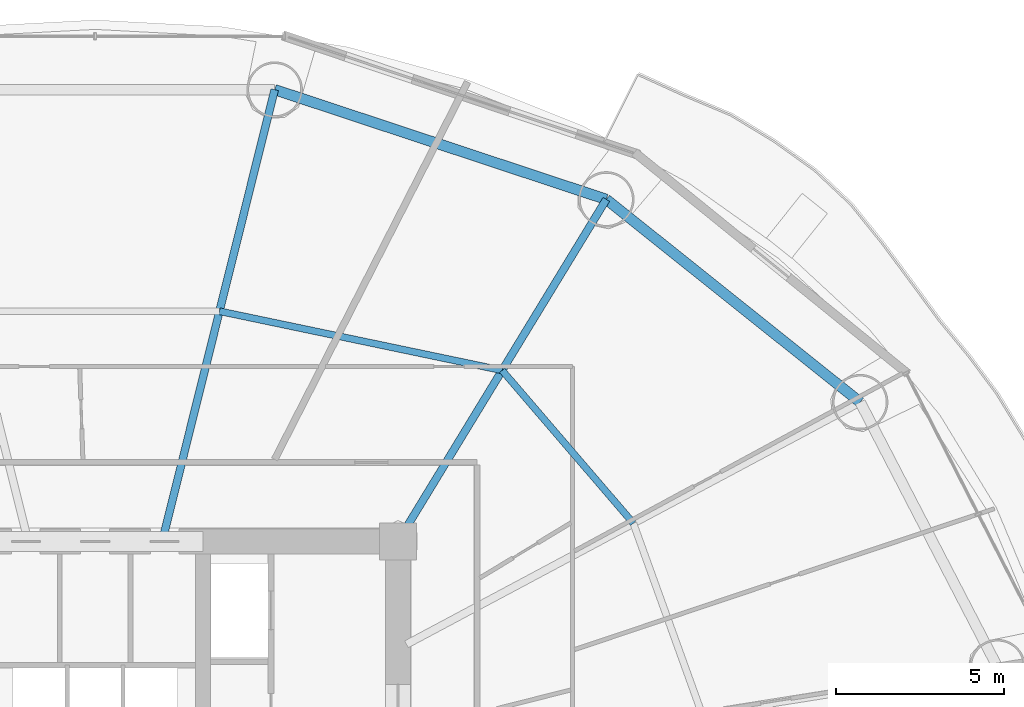
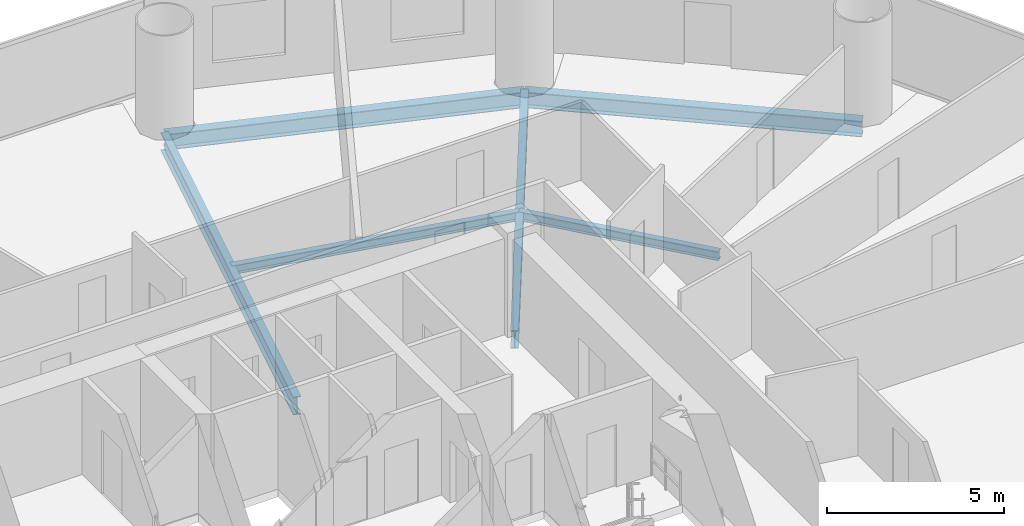
# One storey, part 18 of 29: 6 beams.
"""IFC4 building model written with IfcOpenShell, lengths in metres."""

from ifc_helpers import new_model, si_unit, direction, frame, origin, origin_2d, place, context, subcontext, project, spatial, i_section, extrude, material, material_profile, profile_set, type_object, element, save


model = new_model("IFC4")

# Units and contexts
model_context = context("Model", 3, precision=1e-05, world=origin(), true_north=direction((-0.2419218956, 0.970295726276)))
body_context = subcontext(model_context, "Body", "Model", "MODEL_VIEW")
ifc_project = project(units=[si_unit("LENGTHUNIT", "METRE"), si_unit("AREAUNIT", "SQUARE_METRE"), si_unit("VOLUMEUNIT", "CUBIC_METRE"), si_unit("PLANEANGLEUNIT", "RADIAN"), si_unit("MASSUNIT", "GRAM", prefix="KILO")], contexts=[model_context])

# Site, building, storey
site_placement = place(None, origin())
site = spatial("IfcSite", under=ifc_project, at=site_placement, CompositionType="ELEMENT")
building_placement = place(site_placement, origin())
building = spatial("IfcBuilding", under=site, at=building_placement, Name="Cobrevalo Terracotta Tower", CompositionType="ELEMENT")
storey_placement = place(building_placement, frame((0.0, 0.0, 49.199951171875)))
storey = spatial("IfcBuildingStorey", under=building, at=storey_placement, Name="L12", CompositionType="ELEMENT", Elevation=49.199951171875)

# Beams
ifc_material = material(Name="Steel S355", Category="steel")
ifc_material_profile_1 = material_profile(ifc_material, i_section(OverallWidth=0.22998046875, OverallDepth=0.616943359375, WebThickness=0.01318359375, FlangeThickness=0.022216796875, at=origin_2d()), Name="W 610x140")
ifc_profile_set_1 = profile_set([ifc_material_profile_1], Name="Steel S355")
beam_type_1 = type_object("IfcBeamType", Name="Structural Beam W 610x140 (Steel S355)", PredefinedType="BEAM", material=ifc_profile_set_1)
beam_1_placement = place(storey_placement, frame((53.19482421875, 44.967529296875, -0.58837890625), z_axis=(-0.520309892051, -0.853977526773, 0.0), x_axis=(0.853977526773, -0.520309892051, 0.0)))
element("IfcBeam", 1, at=beam_1_placement, inside=storey, type_object=beam_type_1, Name="L12 radial floor girder 03", PredefinedType="BEAM", context=body_context, shape_type="SweptSolid", body=[
    extrude(i_section(OverallWidth=0.22998046875, OverallDepth=0.616943359375, WebThickness=0.01318359375, FlangeThickness=0.022216796875, at=origin_2d()), origin(), (0.0, 0.0, 1.0), 11.906005859375),
])
beam_2_placement = place(storey_placement, frame((43.335693359375, 48.230224609375, -0.58837890625), z_axis=(-0.241596254786, -0.970376859614, 0.0), x_axis=(0.970376859614, -0.241596254786, 0.0)))
element("IfcBeam", 2, at=beam_2_placement, inside=storey, type_object=beam_type_1, Name="L12 radial floor girder 04", PredefinedType="BEAM", context=body_context, shape_type="SweptSolid", body=[
    extrude(i_section(OverallWidth=0.22998046875, OverallDepth=0.616943359375, WebThickness=0.01318359375, FlangeThickness=0.022216796875, at=origin_2d()), origin(), (0.0, 0.0, 1.0), 13.577392578125),
])
ifc_material_profile_2 = material_profile(ifc_material, i_section(OverallWidth=0.2041015625, OverallDepth=0.305908203125, WebThickness=0.008544921875, FlangeThickness=0.0146484375, at=origin_2d()), Name="W 310x67")
ifc_profile_set_2 = profile_set([ifc_material_profile_2], Name="Steel S355")
beam_type_2 = type_object("IfcBeamType", Name="Structural Joist W 310x67 (Steel S355)", PredefinedType="JOIST", material=ifc_profile_set_2)
beam_3_placement = place(storey_placement, frame((53.997802734375, 35.33984375, -0.432861328125), z_axis=(-0.651328404454, 0.758795960421, 0.0), x_axis=(-0.758795960421, -0.651328404454, 0.0)))
element("IfcBeam", 3, at=beam_3_placement, inside=storey, type_object=beam_type_2, Name="L12 circumferential secondary floor joist 02", PredefinedType="JOIST", context=body_context, shape_type="SweptSolid", body=[
    extrude(i_section(OverallWidth=0.2041015625, OverallDepth=0.305908203125, WebThickness=0.008544921875, FlangeThickness=0.0146484375, at=origin_2d()), origin(), (0.0, 0.0, 1.0), 5.98828125),
])
beam_4_placement = place(storey_placement, frame((50.097412109375, 39.8837890625, -0.432861328125), z_axis=(-0.978784523904, 0.204892302848, 0.0), x_axis=(-0.204892302848, -0.978784523904, 0.0)))
element("IfcBeam", 4, at=beam_4_placement, inside=storey, type_object=beam_type_2, Name="L12 circumferential secondary floor joist 03", PredefinedType="JOIST", context=body_context, shape_type="SweptSolid", body=[
    extrude(i_section(OverallWidth=0.2041015625, OverallDepth=0.305908203125, WebThickness=0.008544921875, FlangeThickness=0.0146484375, at=origin_2d()), origin(), (0.0, 0.0, 1.0), 8.583984375),
])
ifc_material_profile_3 = material_profile(ifc_material, i_section(OverallWidth=0.31201171875, OverallDepth=0.54296875, WebThickness=0.0126953125, FlangeThickness=0.020263671875, at=origin_2d()), Name="W 530x150")
ifc_profile_set_3 = profile_set([ifc_material_profile_3], Name="Steel S355")
beam_type_3 = type_object("IfcBeamType", Name="Structural Spandrel W 530x150 (Steel S355)", PredefinedType="SPANDREL", material=ifc_profile_set_3)
beam_5_placement = place(storey_placement, frame((60.74072265625, 38.939208984375, -0.551513671875), z_axis=(-0.781292806807, 0.62416468182, 0.0), x_axis=(-0.62416468182, -0.781292806807, 0.0)))
element("IfcBeam", 5, at=beam_5_placement, inside=storey, type_object=beam_type_3, Name="L12 perimeter ring spandrel 02", PredefinedType="SPANDREL", context=body_context, shape_type="SweptSolid", body=[
    extrude(i_section(OverallWidth=0.31201171875, OverallDepth=0.54296875, WebThickness=0.0126953125, FlangeThickness=0.020263671875, at=origin_2d()), origin(), (0.0, 0.0, 1.0), 9.658203125),
])
beam_6_placement = place(storey_placement, frame((53.19482421875, 44.967529296875, -0.551513671875), z_axis=(-0.949365190876, 0.314174687638, 0.0), x_axis=(-0.314174687638, -0.949365190876, 0.0)))
element("IfcBeam", 6, at=beam_6_placement, inside=storey, type_object=beam_type_3, Name="L12 perimeter ring spandrel 03", PredefinedType="SPANDREL", context=body_context, shape_type="SweptSolid", body=[
    extrude(i_section(OverallWidth=0.31201171875, OverallDepth=0.54296875, WebThickness=0.0126953125, FlangeThickness=0.020263671875, at=origin_2d()), origin(), (0.0, 0.0, 1.0), 10.385009765625),
])

save(model, "model.ifc")
